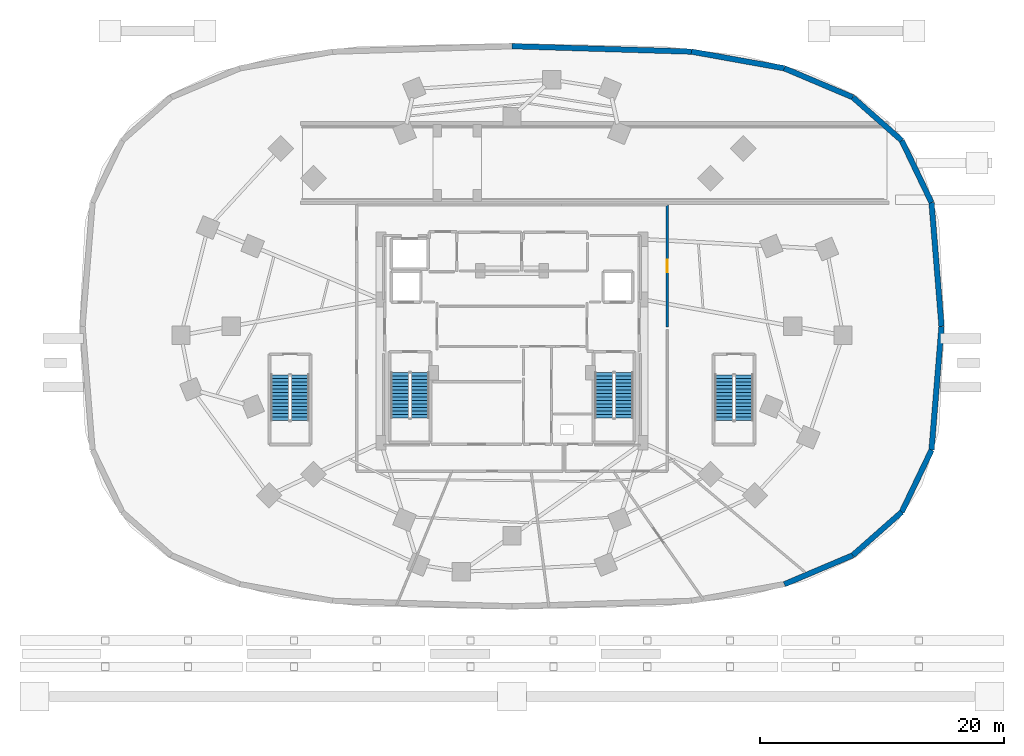
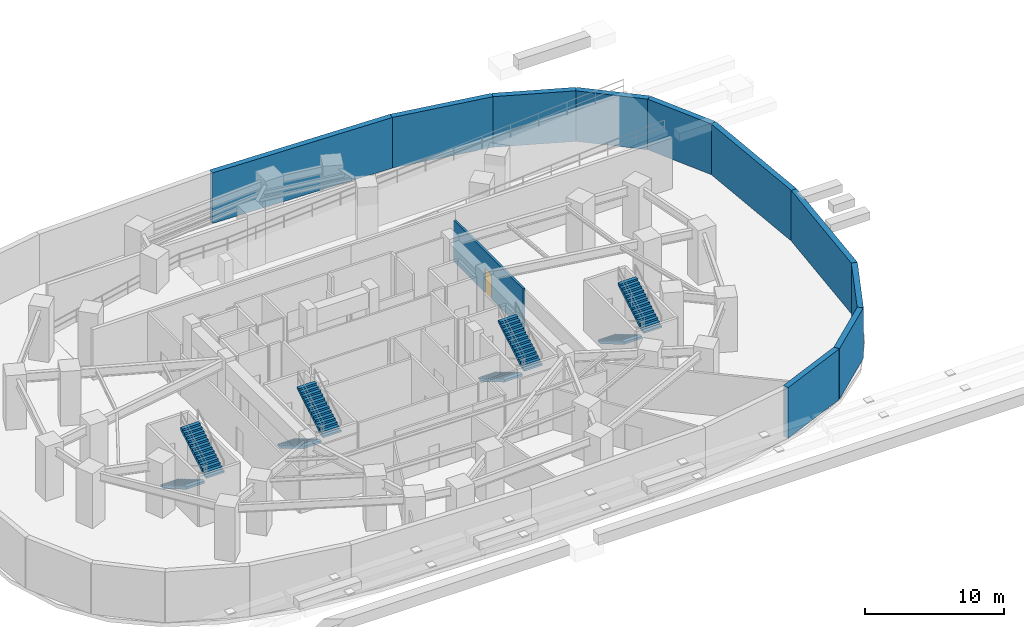
# One storey, part 6 of 8: 11 walls, 8 stair flights, 1 door, 1 opening, 4 elements without a shape of their own.
"""IFC4 building model written with IfcOpenShell, lengths in metres."""

from ifc_helpers import new_model, si_unit, direction, frame, frame_2d, origin, place, context, subcontext, project, spatial, polyline, rectangle, outline, extrude, material, layer, layer_set, type_object, element, fill, aggregate, save


model = new_model("IFC4")

# Units and contexts
model_context = context("Model", 3, precision=1e-05, world=origin(), true_north=direction((0.0, 1.0)))
body_context = subcontext(model_context, "Body", "Model", "MODEL_VIEW")
ifc_project = project(units=[si_unit("LENGTHUNIT", "METRE"), si_unit("AREAUNIT", "SQUARE_METRE"), si_unit("VOLUMEUNIT", "CUBIC_METRE"), si_unit("PLANEANGLEUNIT", "RADIAN"), si_unit("MASSUNIT", "GRAM", prefix="KILO")], contexts=[model_context])

# Site, building, storey
site_placement = place(None, origin())
site = spatial("IfcSite", under=ifc_project, at=site_placement, CompositionType="ELEMENT")
building_placement = place(site_placement, origin())
building = spatial("IfcBuilding", under=site, at=building_placement, Name="Vorneva Point Tower", CompositionType="ELEMENT")
storey_placement = place(building_placement, frame((0.0, 0.0, -4.800048828125)))
storey = spatial("IfcBuildingStorey", under=building, at=storey_placement, Name="B01", CompositionType="ELEMENT", Elevation=-4.800048828125)

# Wall, opening, door
ifc_material_1 = material(Name="Autoclaved aerated concrete blockwork", Category="masonry")
ifc_layer_1 = layer(ifc_material_1, 0.179931640625)
ifc_layer_set_1 = layer_set([ifc_layer_1], Name="Autoclaved aerated concrete blockwork")
wall_type_1 = type_object("IfcWallType", Name="WL-PART-180", PredefinedType="PARTITIONING", material=ifc_layer_set_1)
wall_1_placement = place(storey_placement, frame((50.75, 25.93994140625, 0.0), z_axis=(0.0, 0.0, 1.0), x_axis=(0.0, 1.0, 0.0)))
wall_1 = element("IfcWall", 1, at=wall_1_placement, inside=storey, type_object=wall_type_1, Name="B01 Interior Partition 023", PredefinedType="PARTITIONING", context=body_context, shape_type="SweptSolid", body=[
    extrude(rectangle(XDim=10.010009765625, YDim=0.179931640625, at=frame_2d((5.0048828125, 0.0))), origin(), (0.0, 0.0, 1.0), 3.652099609375),
])
opening_placement = place(wall_1_placement, frame((4.5048828125, 0.0, 0.0)))
opening = element("IfcOpeningElement", 2, at=opening_placement, cuts=wall_1, Name="Opening UD-01", PredefinedType="OPENING", context=body_context, shape_type="SweptSolid", body=[
    extrude(rectangle(XDim=1.0, YDim=2.14990234375, at=frame_2d((0.5, 1.074951171875))), frame((0.0, 0.10498046875, 0.0), z_axis=(0.0, -1.0, 0.0), x_axis=(1.0, 0.0, 0.0)), (0.0, 0.0, 1.0), 0.209716796875),
])
ifc_material_2 = material(Name="Engineered oak fire-rated door leaf", Category="wood")
door_type = type_object("IfcDoorType", Name="DR-UNIT-1000", OperationType="NOTDEFINED", PredefinedType="DOOR", material=ifc_material_2)
door_placement = place(opening_placement, origin())
door = element("IfcDoor", 3, at=door_placement, inside=storey, type_object=door_type, Name="B01 Door B01 Circulation Corridor / Parking Zone East", OperationType="SINGLE_SWING_LEFT", OverallHeight=2.14990234375, OverallWidth=1.0, PredefinedType="DOOR", context=body_context, shape_type="SweptSolid", body=[
    extrude(rectangle(XDim=1.0, YDim=2.14990234375, at=frame_2d((0.5, 1.074951171875))), frame((0.0, 0.02490234375, 0.0), z_axis=(0.0, -1.0, 0.0), x_axis=(1.0, 0.0, 0.0)), (0.0, 0.0, 1.0), 0.050048828125),
])
fill(opening, door)

# Walls
ifc_material_3 = material(Name="Concrete B60 (C50/60)", Category="concrete")
ifc_layer_2 = layer(ifc_material_3, 0.449951171875)
ifc_layer_set_2 = layer_set([ifc_layer_2], Name="Concrete B60 (C50/60)")
wall_type_2 = type_object("IfcWallType", Name="WL-RET-450", PredefinedType="SOLIDWALL", material=ifc_layer_set_2)
wall_2_placement = place(storey_placement, frame((73.271240234375, 26.0, 0.0), z_axis=(0.0, 0.0, 1.0), x_axis=(-0.080835799126, 0.996727431939, 0.0)))
element("IfcWall", 4, at=wall_2_placement, inside=storey, type_object=wall_type_2, Name="B01 Perimeter Retaining Wall 01", PredefinedType="SOLIDWALL", context=body_context, shape_type="SweptSolid", body=[
    extrude(rectangle(XDim=10.1962890625, YDim=0.449951171875, at=frame_2d((5.09814453125, 0.0))), origin(), (0.0, 0.0, 1.0), 4.4599609375),
])
wall_3_placement = place(storey_placement, frame((72.447021484375, 36.162841796875, 0.0), z_axis=(0.0, 0.0, 1.0), x_axis=(-0.433120243411, 0.901336149695, 0.0)))
element("IfcWall", 5, at=wall_3_placement, inside=storey, type_object=wall_type_2, Name="B01 Perimeter Retaining Wall 02", PredefinedType="SOLIDWALL", context=body_context, shape_type="SweptSolid", body=[
    extrude(rectangle(XDim=5.648681640625, YDim=0.449951171875, at=frame_2d((2.82421875, 0.0))), origin(), (0.0, 0.0, 1.0), 4.4599609375),
])
wall_4_placement = place(storey_placement, frame((70.00048828125, 41.254150390625, 0.0), z_axis=(0.0, 0.0, 1.0), x_axis=(-0.749561336725, 0.661934892937, 0.0)))
element("IfcWall", 6, at=wall_4_placement, inside=storey, type_object=wall_type_2, Name="B01 Perimeter Retaining Wall 03", PredefinedType="SOLIDWALL", context=body_context, shape_type="SweptSolid", body=[
    extrude(rectangle(XDim=5.360595703125, YDim=0.449951171875, at=frame_2d((2.68017578125, 0.0))), origin(), (0.0, 0.0, 1.0), 4.4599609375),
])
wall_5_placement = place(storey_placement, frame((65.982421875, 44.802490234375, 0.0), z_axis=(0.0, 0.0, 1.0), x_axis=(-0.92081090532, 0.390009328919, 0.0)))
element("IfcWall", 7, at=wall_5_placement, inside=storey, type_object=wall_type_2, Name="B01 Perimeter Retaining Wall 04", PredefinedType="SOLIDWALL", context=body_context, shape_type="SweptSolid", body=[
    extrude(rectangle(XDim=6.10205078125, YDim=0.449951171875, at=frame_2d((3.051025390625, 0.0))), origin(), (0.0, 0.0, 1.0), 4.4599609375),
])
wall_6_placement = place(storey_placement, frame((60.363525390625, 47.182373046875, 0.0), z_axis=(0.0, 0.0, 1.0), x_axis=(-0.984238318617, 0.176847200051, 0.0)))
element("IfcWall", 8, at=wall_6_placement, inside=storey, type_object=wall_type_2, Name="B01 Perimeter Retaining Wall 05", PredefinedType="SOLIDWALL", context=body_context, shape_type="SweptSolid", body=[
    extrude(rectangle(XDim=7.748779296875, YDim=0.449951171875, at=frame_2d((3.87451171875, 0.0))), origin(), (0.0, 0.0, 1.0), 4.4599609375),
])
wall_7_placement = place(storey_placement, frame((52.73681640625, 48.552734375, 0.0), z_axis=(0.0, 0.0, 1.0), x_axis=(-0.999540251976, 0.030319707786, 0.0)))
element("IfcWall", 9, at=wall_7_placement, inside=storey, type_object=wall_type_2, Name="B01 Perimeter Retaining Wall 06", PredefinedType="SOLIDWALL", context=body_context, shape_type="SweptSolid", body=[
    extrude(rectangle(XDim=14.74365234375, YDim=0.449951171875, at=frame_2d((7.371826171875, 0.0))), origin(), (0.0, 0.0, 1.0), 4.4599609375),
])
wall_8_placement = place(storey_placement, frame((60.363525390625, 4.817626953125, 0.0), z_axis=(0.0, 0.0, 1.0), x_axis=(0.92081090532, 0.390009328919, 0.0)))
element("IfcWall", 10, at=wall_8_placement, inside=storey, type_object=wall_type_2, Name="B01 Perimeter Retaining Wall 21", PredefinedType="SOLIDWALL", context=body_context, shape_type="SweptSolid", body=[
    extrude(rectangle(XDim=6.10205078125, YDim=0.449951171875, at=frame_2d((3.051025390625, 0.0))), origin(), (0.0, 0.0, 1.0), 4.4599609375),
])
wall_9_placement = place(storey_placement, frame((65.982421875, 7.197509765625, 0.0), z_axis=(0.0, 0.0, 1.0), x_axis=(0.749561336725, 0.661934892937, 0.0)))
element("IfcWall", 11, at=wall_9_placement, inside=storey, type_object=wall_type_2, Name="B01 Perimeter Retaining Wall 22", PredefinedType="SOLIDWALL", context=body_context, shape_type="SweptSolid", body=[
    extrude(rectangle(XDim=5.360595703125, YDim=0.449951171875, at=frame_2d((2.68017578125, 0.0))), origin(), (0.0, 0.0, 1.0), 4.4599609375),
])
wall_10_placement = place(storey_placement, frame((70.00048828125, 10.745849609375, 0.0), z_axis=(0.0, 0.0, 1.0), x_axis=(0.433120243411, 0.901336149695, 0.0)))
element("IfcWall", 12, at=wall_10_placement, inside=storey, type_object=wall_type_2, Name="B01 Perimeter Retaining Wall 23", PredefinedType="SOLIDWALL", context=body_context, shape_type="SweptSolid", body=[
    extrude(rectangle(XDim=5.648681640625, YDim=0.449951171875, at=frame_2d((2.82421875, 0.0))), origin(), (0.0, 0.0, 1.0), 4.4599609375),
])
wall_11_placement = place(storey_placement, frame((72.447021484375, 15.837158203125, 0.0), z_axis=(0.0, 0.0, 1.0), x_axis=(0.080835799126, 0.996727431939, 0.0)))
element("IfcWall", 13, at=wall_11_placement, inside=storey, type_object=wall_type_2, Name="B01 Perimeter Retaining Wall 24", PredefinedType="SOLIDWALL", context=body_context, shape_type="SweptSolid", body=[
    extrude(rectangle(XDim=10.1962890625, YDim=0.449951171875, at=frame_2d((5.09814453125, 0.0))), origin(), (0.0, 0.0, 1.0), 4.4599609375),
])

# Stair, stair flights
ifc_material_4 = material(Name="Concrete B50 (C40/50)", Category="concrete")
stair_type = type_object("IfcStairType", Name="ST-DOG-1500", PredefinedType="HALF_TURN_STAIR", material=ifc_material_4)
stair_1_placement = place(storey_placement, origin())
stair_1 = element("IfcStair", 14, at=stair_1_placement, inside=storey, type_object=stair_type, Name="B01 ST1", PredefinedType="HALF_TURN_STAIR")
stair_flight_type = type_object("IfcStairFlightType", Name="STF-1500", PredefinedType="STRAIGHT", material=ifc_material_4)
stair_flight_1_placement = place(storey_placement, frame((28.800048828125, 22.219970703125, 0.0), z_axis=(0.0, 0.0, 1.0), x_axis=(0.0, -1.0, 0.0)))
stair_flight_1 = element("IfcStairFlight", 15, at=stair_flight_1_placement, type_object=stair_flight_type, Name="ST1 flight 1", NumberOfRisers=14, NumberOfTreads=13, PredefinedType="STRAIGHT", RiserHeight=0.171428571, TreadLength=0.29, context=body_context, shape_type="SweptSolid", body=[
    extrude(outline(polyline([(0.0, 0.0), (0.0, 0.17138671875), (0.2900390625, 0.17138671875), (0.2900390625, 0.3427734375), (0.580078125, 0.3427734375), (0.580078125, 0.514404296875), (0.8701171875, 0.514404296875), (0.8701171875, 0.685791015625), (1.159912109375, 0.685791015625), (1.159912109375, 0.857177734375), (1.449951171875, 0.857177734375), (1.449951171875, 1.028564453125), (1.739990234375, 1.028564453125), (1.739990234375, 1.199951171875), (2.030029296875, 1.199951171875), (2.030029296875, 1.371337890625), (2.320068359375, 1.371337890625), (2.320068359375, 1.54296875), (2.610107421875, 1.54296875), (2.610107421875, 1.71435546875), (2.89990234375, 1.71435546875), (2.89990234375, 1.8857421875), (3.18994140625, 1.8857421875), (3.18994140625, 2.05712890625), (3.47998046875, 2.05712890625), (3.47998046875, 2.228515625), (3.77001953125, 2.228515625), (3.77001953125, 2.39990234375), (3.77001953125, 2.01953125), (0.353515625, 0.0), (0.0, 0.0)])), frame((0.0, 0.75, 0.0), z_axis=(0.0, -1.0, 0.0), x_axis=(1.0, 0.0, 0.0)), (0.0, 0.0, 1.0), 1.5),
])
stair_flight_2_placement = place(storey_placement, frame((30.449951171875, 18.449951171875, 2.400146484375), z_axis=(0.0, 0.0, 1.0), x_axis=(0.0, 1.0, 0.0)))
stair_flight_2 = element("IfcStairFlight", 16, at=stair_flight_2_placement, type_object=stair_flight_type, Name="ST1 flight 2", NumberOfRisers=14, NumberOfTreads=13, PredefinedType="STRAIGHT", RiserHeight=0.171428571, TreadLength=0.29, context=body_context, shape_type="SweptSolid", body=[
    extrude(outline(polyline([(0.0, 0.0), (0.0, 0.17138671875), (0.2900390625, 0.17138671875), (0.2900390625, 0.3427734375), (0.580078125, 0.3427734375), (0.580078125, 0.514404296875), (0.8701171875, 0.514404296875), (0.8701171875, 0.685791015625), (1.159912109375, 0.685791015625), (1.159912109375, 0.857177734375), (1.449951171875, 0.857177734375), (1.449951171875, 1.028564453125), (1.739990234375, 1.028564453125), (1.739990234375, 1.199951171875), (2.030029296875, 1.199951171875), (2.030029296875, 1.371337890625), (2.320068359375, 1.371337890625), (2.320068359375, 1.54296875), (2.610107421875, 1.54296875), (2.610107421875, 1.71435546875), (2.89990234375, 1.71435546875), (2.89990234375, 1.8857421875), (3.18994140625, 1.8857421875), (3.18994140625, 2.05712890625), (3.47998046875, 2.05712890625), (3.47998046875, 2.228515625), (3.77001953125, 2.228515625), (3.77001953125, 2.39990234375), (3.77001953125, 2.01953125), (0.353515625, 0.0), (0.0, 0.0)])), frame((0.0, 0.75, 0.0), z_axis=(0.0, -1.0, 0.0), x_axis=(1.0, 0.0, 0.0)), (0.0, 0.0, 1.0), 1.5),
])
aggregate(stair_1, [stair_flight_1, stair_flight_2])

stair_2_placement = place(storey_placement, origin())
stair_2 = element("IfcStair", 17, at=stair_2_placement, inside=storey, type_object=stair_type, Name="B01 ST2", PredefinedType="HALF_TURN_STAIR")
stair_flight_3_placement = place(storey_placement, frame((45.550048828125, 22.219970703125, 0.0), z_axis=(0.0, 0.0, 1.0), x_axis=(0.0, -1.0, 0.0)))
stair_flight_3 = element("IfcStairFlight", 18, at=stair_flight_3_placement, type_object=stair_flight_type, Name="ST2 flight 1", NumberOfRisers=14, NumberOfTreads=13, PredefinedType="STRAIGHT", RiserHeight=0.171428571, TreadLength=0.29, context=body_context, shape_type="SweptSolid", body=[
    extrude(outline(polyline([(0.0, 0.0), (0.0, 0.17138671875), (0.2900390625, 0.17138671875), (0.2900390625, 0.3427734375), (0.580078125, 0.3427734375), (0.580078125, 0.514404296875), (0.8701171875, 0.514404296875), (0.8701171875, 0.685791015625), (1.159912109375, 0.685791015625), (1.159912109375, 0.857177734375), (1.449951171875, 0.857177734375), (1.449951171875, 1.028564453125), (1.739990234375, 1.028564453125), (1.739990234375, 1.199951171875), (2.030029296875, 1.199951171875), (2.030029296875, 1.371337890625), (2.320068359375, 1.371337890625), (2.320068359375, 1.54296875), (2.610107421875, 1.54296875), (2.610107421875, 1.71435546875), (2.89990234375, 1.71435546875), (2.89990234375, 1.8857421875), (3.18994140625, 1.8857421875), (3.18994140625, 2.05712890625), (3.47998046875, 2.05712890625), (3.47998046875, 2.228515625), (3.77001953125, 2.228515625), (3.77001953125, 2.39990234375), (3.77001953125, 2.01953125), (0.353515625, 0.0), (0.0, 0.0)])), frame((0.0, 0.75, 0.0), z_axis=(0.0, -1.0, 0.0), x_axis=(1.0, 0.0, 0.0)), (0.0, 0.0, 1.0), 1.5),
])
stair_flight_4_placement = place(storey_placement, frame((47.199951171875, 18.449951171875, 2.400146484375), z_axis=(0.0, 0.0, 1.0), x_axis=(0.0, 1.0, 0.0)))
stair_flight_4 = element("IfcStairFlight", 19, at=stair_flight_4_placement, type_object=stair_flight_type, Name="ST2 flight 2", NumberOfRisers=14, NumberOfTreads=13, PredefinedType="STRAIGHT", RiserHeight=0.171428571, TreadLength=0.29, context=body_context, shape_type="SweptSolid", body=[
    extrude(outline(polyline([(0.0, 0.0), (0.0, 0.17138671875), (0.2900390625, 0.17138671875), (0.2900390625, 0.3427734375), (0.580078125, 0.3427734375), (0.580078125, 0.514404296875), (0.8701171875, 0.514404296875), (0.8701171875, 0.685791015625), (1.159912109375, 0.685791015625), (1.159912109375, 0.857177734375), (1.449951171875, 0.857177734375), (1.449951171875, 1.028564453125), (1.739990234375, 1.028564453125), (1.739990234375, 1.199951171875), (2.030029296875, 1.199951171875), (2.030029296875, 1.371337890625), (2.320068359375, 1.371337890625), (2.320068359375, 1.54296875), (2.610107421875, 1.54296875), (2.610107421875, 1.71435546875), (2.89990234375, 1.71435546875), (2.89990234375, 1.8857421875), (3.18994140625, 1.8857421875), (3.18994140625, 2.05712890625), (3.47998046875, 2.05712890625), (3.47998046875, 2.228515625), (3.77001953125, 2.228515625), (3.77001953125, 2.39990234375), (3.77001953125, 2.01953125), (0.353515625, 0.0), (0.0, 0.0)])), frame((0.0, 0.75, 0.0), z_axis=(0.0, -1.0, 0.0), x_axis=(1.0, 0.0, 0.0)), (0.0, 0.0, 1.0), 1.5),
])
aggregate(stair_2, [stair_flight_3, stair_flight_4])

stair_3_placement = place(storey_placement, origin())
stair_3 = element("IfcStair", 20, at=stair_3_placement, inside=storey, type_object=stair_type, Name="B01 ST3", PredefinedType="HALF_TURN_STAIR")
stair_flight_5_placement = place(storey_placement, frame((18.949951171875, 22.02001953125, 0.0), z_axis=(0.0, 0.0, 1.0), x_axis=(0.0, -1.0, 0.0)))
stair_flight_5 = element("IfcStairFlight", 21, at=stair_flight_5_placement, type_object=stair_flight_type, Name="ST3 flight 1", NumberOfRisers=14, NumberOfTreads=13, PredefinedType="STRAIGHT", RiserHeight=0.171428571, TreadLength=0.29, context=body_context, shape_type="SweptSolid", body=[
    extrude(outline(polyline([(0.0, 0.0), (0.0, 0.17138671875), (0.2900390625, 0.17138671875), (0.2900390625, 0.3427734375), (0.580078125, 0.3427734375), (0.580078125, 0.514404296875), (0.8701171875, 0.514404296875), (0.8701171875, 0.685791015625), (1.159912109375, 0.685791015625), (1.159912109375, 0.857177734375), (1.449951171875, 0.857177734375), (1.449951171875, 1.028564453125), (1.739990234375, 1.028564453125), (1.739990234375, 1.199951171875), (2.030029296875, 1.199951171875), (2.030029296875, 1.371337890625), (2.320068359375, 1.371337890625), (2.320068359375, 1.54296875), (2.610107421875, 1.54296875), (2.610107421875, 1.71435546875), (2.89990234375, 1.71435546875), (2.89990234375, 1.8857421875), (3.18994140625, 1.8857421875), (3.18994140625, 2.05712890625), (3.47998046875, 2.05712890625), (3.47998046875, 2.228515625), (3.77001953125, 2.228515625), (3.77001953125, 2.39990234375), (3.77001953125, 2.01953125), (0.353515625, 0.0), (0.0, 0.0)])), frame((0.0, 0.75, 0.0), z_axis=(0.0, -1.0, 0.0), x_axis=(1.0, 0.0, 0.0)), (0.0, 0.0, 1.0), 1.5),
])
stair_flight_6_placement = place(storey_placement, frame((20.60009765625, 18.25, 2.400146484375), z_axis=(0.0, 0.0, 1.0), x_axis=(0.0, 1.0, 0.0)))
stair_flight_6 = element("IfcStairFlight", 22, at=stair_flight_6_placement, type_object=stair_flight_type, Name="ST3 flight 2", NumberOfRisers=14, NumberOfTreads=13, PredefinedType="STRAIGHT", RiserHeight=0.171428571, TreadLength=0.29, context=body_context, shape_type="SweptSolid", body=[
    extrude(outline(polyline([(0.0, 0.0), (0.0, 0.17138671875), (0.2900390625, 0.17138671875), (0.2900390625, 0.3427734375), (0.580078125, 0.3427734375), (0.580078125, 0.514404296875), (0.8701171875, 0.514404296875), (0.8701171875, 0.685791015625), (1.159912109375, 0.685791015625), (1.159912109375, 0.857177734375), (1.449951171875, 0.857177734375), (1.449951171875, 1.028564453125), (1.739990234375, 1.028564453125), (1.739990234375, 1.199951171875), (2.030029296875, 1.199951171875), (2.030029296875, 1.371337890625), (2.320068359375, 1.371337890625), (2.320068359375, 1.54296875), (2.610107421875, 1.54296875), (2.610107421875, 1.71435546875), (2.89990234375, 1.71435546875), (2.89990234375, 1.8857421875), (3.18994140625, 1.8857421875), (3.18994140625, 2.05712890625), (3.47998046875, 2.05712890625), (3.47998046875, 2.228515625), (3.77001953125, 2.228515625), (3.77001953125, 2.39990234375), (3.77001953125, 2.01953125), (0.353515625, 0.0), (0.0, 0.0)])), frame((0.0, 0.75, 0.0), z_axis=(0.0, -1.0, 0.0), x_axis=(1.0, 0.0, 0.0)), (0.0, 0.0, 1.0), 1.5),
])
aggregate(stair_3, [stair_flight_5, stair_flight_6])

stair_4_placement = place(storey_placement, origin())
stair_4 = element("IfcStair", 23, at=stair_4_placement, inside=storey, type_object=stair_type, Name="B01 ST4", PredefinedType="HALF_TURN_STAIR")
stair_flight_7_placement = place(storey_placement, frame((55.39990234375, 22.02001953125, 0.0), z_axis=(0.0, 0.0, 1.0), x_axis=(0.0, -1.0, 0.0)))
stair_flight_7 = element("IfcStairFlight", 24, at=stair_flight_7_placement, type_object=stair_flight_type, Name="ST4 flight 1", NumberOfRisers=14, NumberOfTreads=13, PredefinedType="STRAIGHT", RiserHeight=0.171428571, TreadLength=0.29, context=body_context, shape_type="SweptSolid", body=[
    extrude(outline(polyline([(0.0, 0.0), (0.0, 0.17138671875), (0.2900390625, 0.17138671875), (0.2900390625, 0.3427734375), (0.580078125, 0.3427734375), (0.580078125, 0.514404296875), (0.8701171875, 0.514404296875), (0.8701171875, 0.685791015625), (1.159912109375, 0.685791015625), (1.159912109375, 0.857177734375), (1.449951171875, 0.857177734375), (1.449951171875, 1.028564453125), (1.739990234375, 1.028564453125), (1.739990234375, 1.199951171875), (2.030029296875, 1.199951171875), (2.030029296875, 1.371337890625), (2.320068359375, 1.371337890625), (2.320068359375, 1.54296875), (2.610107421875, 1.54296875), (2.610107421875, 1.71435546875), (2.89990234375, 1.71435546875), (2.89990234375, 1.8857421875), (3.18994140625, 1.8857421875), (3.18994140625, 2.05712890625), (3.47998046875, 2.05712890625), (3.47998046875, 2.228515625), (3.77001953125, 2.228515625), (3.77001953125, 2.39990234375), (3.77001953125, 2.01953125), (0.353515625, 0.0), (0.0, 0.0)])), frame((0.0, 0.75, 0.0), z_axis=(0.0, -1.0, 0.0), x_axis=(1.0, 0.0, 0.0)), (0.0, 0.0, 1.0), 1.5),
])
stair_flight_8_placement = place(storey_placement, frame((57.050048828125, 18.25, 2.400146484375), z_axis=(0.0, 0.0, 1.0), x_axis=(0.0, 1.0, 0.0)))
stair_flight_8 = element("IfcStairFlight", 25, at=stair_flight_8_placement, type_object=stair_flight_type, Name="ST4 flight 2", NumberOfRisers=14, NumberOfTreads=13, PredefinedType="STRAIGHT", RiserHeight=0.171428571, TreadLength=0.29, context=body_context, shape_type="SweptSolid", body=[
    extrude(outline(polyline([(0.0, 0.0), (0.0, 0.17138671875), (0.2900390625, 0.17138671875), (0.2900390625, 0.3427734375), (0.580078125, 0.3427734375), (0.580078125, 0.514404296875), (0.8701171875, 0.514404296875), (0.8701171875, 0.685791015625), (1.159912109375, 0.685791015625), (1.159912109375, 0.857177734375), (1.449951171875, 0.857177734375), (1.449951171875, 1.028564453125), (1.739990234375, 1.028564453125), (1.739990234375, 1.199951171875), (2.030029296875, 1.199951171875), (2.030029296875, 1.371337890625), (2.320068359375, 1.371337890625), (2.320068359375, 1.54296875), (2.610107421875, 1.54296875), (2.610107421875, 1.71435546875), (2.89990234375, 1.71435546875), (2.89990234375, 1.8857421875), (3.18994140625, 1.8857421875), (3.18994140625, 2.05712890625), (3.47998046875, 2.05712890625), (3.47998046875, 2.228515625), (3.77001953125, 2.228515625), (3.77001953125, 2.39990234375), (3.77001953125, 2.01953125), (0.353515625, 0.0), (0.0, 0.0)])), frame((0.0, 0.75, 0.0), z_axis=(0.0, -1.0, 0.0), x_axis=(1.0, 0.0, 0.0)), (0.0, 0.0, 1.0), 1.5),
])
aggregate(stair_4, [stair_flight_7, stair_flight_8])

save(model, "model.ifc")
